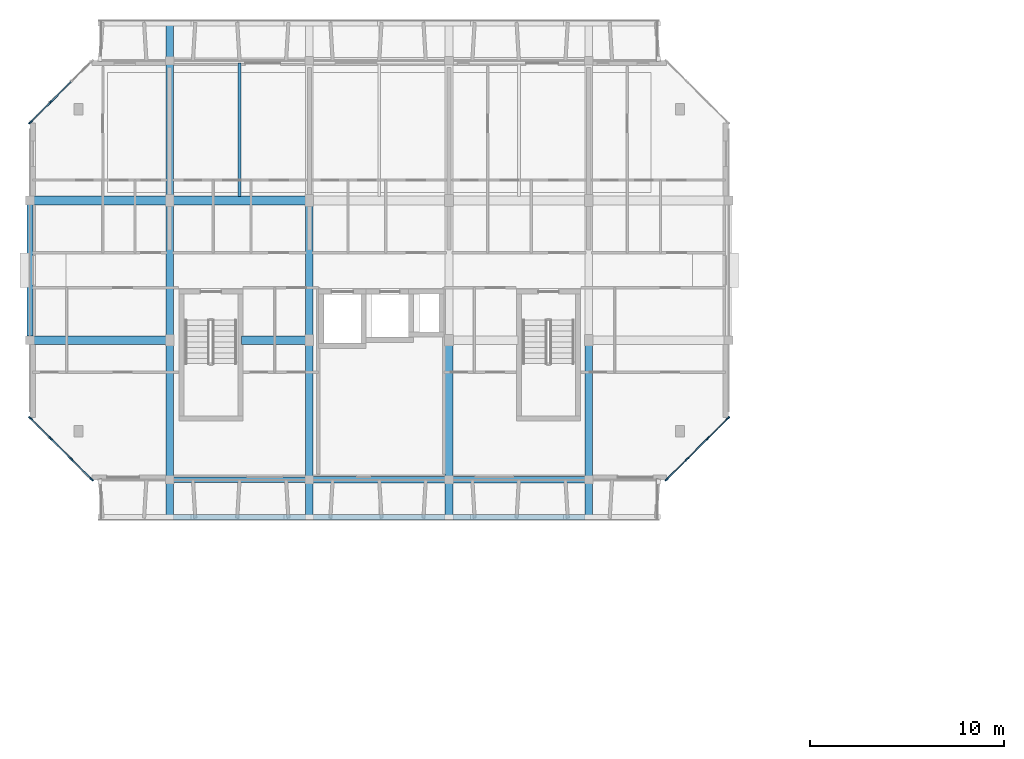
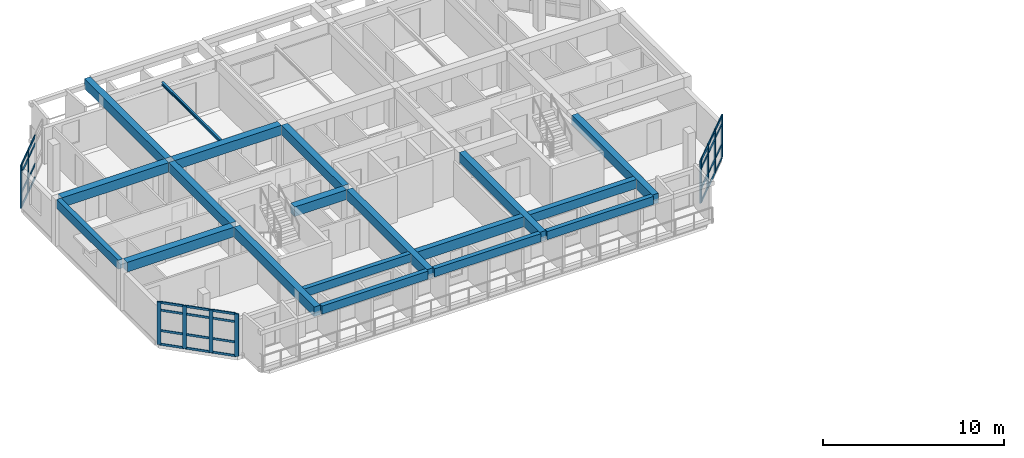
# One storey, part 8 of 43: 42 members, 19 beams, 3 elements without a shape of their own.
"""IFC4 building model written with IfcOpenShell, lengths in metres."""

from ifc_helpers import new_model, si_unit, direction, frame, origin, origin_2d, place, context, subcontext, project, spatial, rectangle, i_section, extrude, material, layer, layer_set, material_profile, profile_set, type_object, element, aggregate, save


model = new_model("IFC4")

# Units and contexts
model_context = context("Model", 3, precision=1e-05, world=origin(), true_north=direction((0.0, 1.0)))
body_context = subcontext(model_context, "Body", "Model", "MODEL_VIEW")
ifc_project = project(units=[si_unit("LENGTHUNIT", "METRE"), si_unit("AREAUNIT", "SQUARE_METRE"), si_unit("VOLUMEUNIT", "CUBIC_METRE"), si_unit("PLANEANGLEUNIT", "RADIAN"), si_unit("MASSUNIT", "GRAM", prefix="KILO")], contexts=[model_context])

# Site, building, storey
site_placement = place(None, origin())
site = spatial("IfcSite", under=ifc_project, at=site_placement, CompositionType="ELEMENT")
building_placement = place(site_placement, origin())
building = spatial("IfcBuilding", under=site, at=building_placement, Name="Ochrevale Crest", CompositionType="ELEMENT")
storey_placement = place(building_placement, frame((0.0, 0.0, 30.75)))
storey = spatial("IfcBuildingStorey", under=building, at=storey_placement, Name="L09", CompositionType="ELEMENT", Elevation=30.75)

# Beams
ifc_material_1 = material(Name="Precast concrete C50/60", Category="concrete")
ifc_material_profile_1 = material_profile(ifc_material_1, rectangle(XDim=0.39990234375, YDim=0.64990234375, at=origin_2d()), Name="PC 400x650")
ifc_profile_set_1 = profile_set([ifc_material_profile_1], Name="Precast concrete C50/60")
beam_type_1 = type_object("IfcBeamType", Name="BM-PC400x650", PredefinedType="BEAM", material=ifc_profile_set_1)
beam_1_placement = place(storey_placement, frame((7.199951171875, 70.080078125, 2.824951171875), z_axis=(0.0, 1.0, 0.0), x_axis=(-1.0, 0.0, 0.0)))
element("IfcBeam", 1, at=beam_1_placement, inside=storey, type_object=beam_type_1, Name="Block B L09 N-S beam X=7.2", PredefinedType="BEAM", context=body_context, shape_type="SweptSolid", body=[
    extrude(rectangle(XDim=0.39990234375, YDim=0.64990234375, at=origin_2d()), origin(), (0.0, 0.0, 1.0), 8.9150390625),
])
beam_2_placement = place(storey_placement, frame((7.199951171875, 79.405029296875, 2.824951171875), z_axis=(0.0, 1.0, 0.0), x_axis=(-1.0, 0.0, 0.0)))
element("IfcBeam", 2, at=beam_2_placement, inside=storey, type_object=beam_type_1, Name="Block B L09 N-S beam X=7.2", PredefinedType="BEAM", context=body_context, shape_type="SweptSolid", body=[
    extrude(rectangle(XDim=0.39990234375, YDim=0.64990234375, at=origin_2d()), origin(), (0.0, 0.0, 1.0), 6.7900390625),
])
for number, where, z_axis, x_axis, name in (
    (3, (7.199951171875, 86.60498046875, 2.824951171875), (0.0, 1.0, 0.0), (-1.0, 0.0, 0.0), "Block B L09 N-S beam X=7.2"),
    (4, (14.39990234375, 70.080078125, 2.824951171875), (0.0, 1.0, 0.0), (-1.0, 0.0, 0.0), "Block B L09 N-S beam X=14.4"),
):
    element("IfcBeam", number, at=place(storey_placement, frame(where, z_axis=z_axis, x_axis=x_axis)), inside=storey, type_object=beam_type_1, Name=name, PredefinedType="BEAM", context=body_context, shape_type="SweptSolid", body=[
        extrude(rectangle(XDim=0.39990234375, YDim=0.64990234375, at=origin_2d()), origin(), (0.0, 0.0, 1.0), 8.9150390625),
    ])
beam_3_placement = place(storey_placement, frame((14.39990234375, 79.405029296875, 2.824951171875), z_axis=(0.0, 1.0, 0.0), x_axis=(-1.0, 0.0, 0.0)))
element("IfcBeam", 5, at=beam_3_placement, inside=storey, type_object=beam_type_1, Name="Block B L09 N-S beam X=14.4", PredefinedType="BEAM", context=body_context, shape_type="SweptSolid", body=[
    extrude(rectangle(XDim=0.39990234375, YDim=0.64990234375, at=origin_2d()), origin(), (0.0, 0.0, 1.0), 6.7900390625),
])
for number, where, z_axis, x_axis, name in (
    (6, (21.60009765625, 70.080078125, 2.824951171875), (0.0, 1.0, 0.0), (-1.0, 0.0, 0.0), "Block B L09 N-S beam X=21.6"),
    (7, (28.800048828125, 70.080078125, 2.824951171875), (0.0, 1.0, 0.0), (-1.0, 0.0, 0.0), "Block B L09 N-S beam X=28.8"),
):
    element("IfcBeam", number, at=place(storey_placement, frame(where, z_axis=z_axis, x_axis=x_axis)), inside=storey, type_object=beam_type_1, Name=name, PredefinedType="BEAM", context=body_context, shape_type="SweptSolid", body=[
        extrude(rectangle(XDim=0.39990234375, YDim=0.64990234375, at=origin_2d()), origin(), (0.0, 0.0, 1.0), 8.9150390625),
    ])
ifc_material_2 = material(Name="Concrete C50/60", Category="concrete")
ifc_material_profile_2 = material_profile(ifc_material_2, rectangle(XDim=0.449951171875, YDim=0.64990234375, at=origin_2d()), Name="RC 450x650")
ifc_profile_set_2 = profile_set([ifc_material_profile_2], Name="Concrete C50/60")
beam_type_2 = type_object("IfcBeamType", Name="BM-PG450x650", PredefinedType="USERDEFINED", material=ifc_profile_set_2)
beam_4_placement = place(storey_placement, frame((0.199951171875, 79.199951171875, 2.824951171875), z_axis=(1.0, 0.0, 0.0), x_axis=(0.0, 1.0, 0.0)))
element("IfcBeam", 8, at=beam_4_placement, inside=storey, type_object=beam_type_2, Name="Block B L09 E-W beam Y=79.2", ObjectType="GIRDER", PredefinedType="USERDEFINED", context=body_context, shape_type="SweptSolid", body=[
    extrude(rectangle(XDim=0.449951171875, YDim=0.64990234375, at=origin_2d()), origin(), (0.0, 0.0, 1.0), 6.800048828125),
])
beam_5_placement = place(storey_placement, frame((10.889892578125, 79.199951171875, 2.824951171875), z_axis=(1.0, 0.0, 0.0), x_axis=(0.0, 1.0, 0.0)))
element("IfcBeam", 9, at=beam_5_placement, inside=storey, type_object=beam_type_2, Name="Block B L09 E-W beam Y=79.2", ObjectType="GIRDER", PredefinedType="USERDEFINED", context=body_context, shape_type="SweptSolid", body=[
    extrude(rectangle(XDim=0.449951171875, YDim=0.64990234375, at=origin_2d()), origin(), (0.0, 0.0, 1.0), 3.31005859375),
])
for number, where, z_axis, x_axis, name in (
    (10, (0.199951171875, 86.39990234375, 2.824951171875), (1.0, 0.0, 0.0), (0.0, 1.0, 0.0), "Block B L09 E-W beam Y=86.4"),
    (11, (7.39990234375, 86.39990234375, 2.824951171875), (1.0, 0.0, 0.0), (0.0, 1.0, 0.0), "Block B L09 E-W beam Y=86.4"),
):
    element("IfcBeam", number, at=place(storey_placement, frame(where, z_axis=z_axis, x_axis=x_axis)), inside=storey, type_object=beam_type_2, Name=name, ObjectType="GIRDER", PredefinedType="USERDEFINED", context=body_context, shape_type="SweptSolid", body=[
        extrude(rectangle(XDim=0.449951171875, YDim=0.64990234375, at=origin_2d()), origin(), (0.0, 0.0, 1.0), 6.800048828125),
    ])
ifc_material_3 = material(Name="Precast concrete C40/50", Category="concrete")
ifc_material_profile_3 = material_profile(ifc_material_3, rectangle(XDim=0.280029296875, YDim=0.550048828125, at=origin_2d()), Name="PC 280x550")
ifc_profile_set_3 = profile_set([ifc_material_profile_3], Name="Precast concrete C40/50")
beam_type_3 = type_object("IfcBeamType", Name="BM-SP280x550", PredefinedType="SPANDREL", material=ifc_profile_set_3)
beam_6_placement = place(storey_placement, frame((7.39990234375, 72.0, 2.875), z_axis=(1.0, 0.0, 0.0), x_axis=(0.0, 1.0, 0.0)))
element("IfcBeam", 12, at=beam_6_placement, inside=storey, type_object=beam_type_3, Name="Block B L09 E-W beam Y=72.0", PredefinedType="SPANDREL", context=body_context, shape_type="SweptSolid", body=[
    extrude(rectangle(XDim=0.280029296875, YDim=0.550048828125, at=origin_2d()), origin(), (0.0, 0.0, 1.0), 6.800048828125),
])
for number, where, z_axis, x_axis, name in (
    (13, (7.405029296875, 70.080078125, 2.875), (1.0, 0.0, 0.0), (0.0, 1.0, 0.0), "Block B L09 top-loggia precast ring lintel S-1"),
    (14, (14.60498046875, 70.080078125, 2.875), (1.0, 0.0, 0.0), (0.0, 1.0, 0.0), "Block B L09 top-loggia precast ring lintel S-2"),
    (15, (21.804931640625, 70.080078125, 2.875), (1.0, 0.0, 0.0), (0.0, 1.0, 0.0), "Block B L09 top-loggia precast ring lintel S-3"),
):
    element("IfcBeam", number, at=place(storey_placement, frame(where, z_axis=z_axis, x_axis=x_axis)), inside=storey, type_object=beam_type_3, Name=name, PredefinedType="SPANDREL", context=body_context, shape_type="SweptSolid", body=[
        extrude(rectangle(XDim=0.280029296875, YDim=0.550048828125, at=origin_2d()), origin(), (0.0, 0.0, 1.0), 6.7900390625),
    ])
ifc_material_profile_4 = material_profile(ifc_material_3, rectangle(XDim=0.300048828125, YDim=0.60009765625, at=origin_2d()), Name="PC 300x600")
ifc_profile_set_4 = profile_set([ifc_material_profile_4], Name="Precast concrete C40/50")
beam_type_4 = type_object("IfcBeamType", Name="BM-SP300x600", PredefinedType="SPANDREL", material=ifc_profile_set_4)
beam_7_placement = place(storey_placement, frame((0.0, 79.405029296875, 2.85009765625), z_axis=(0.0, 1.0, 0.0), x_axis=(-1.0, 0.0, 0.0)))
element("IfcBeam", 16, at=beam_7_placement, inside=storey, type_object=beam_type_4, Name="Block B L09 N-S beam X=0.0", PredefinedType="SPANDREL", context=body_context, shape_type="SweptSolid", body=[
    extrude(rectangle(XDim=0.300048828125, YDim=0.60009765625, at=origin_2d()), origin(), (0.0, 0.0, 1.0), 6.7900390625),
])
ifc_material_profile_5 = material_profile(ifc_material_3, rectangle(XDim=0.35009765625, YDim=0.60009765625, at=origin_2d()), Name="PC 350x600")
ifc_profile_set_5 = profile_set([ifc_material_profile_5], Name="Precast concrete C40/50")
beam_type_5 = type_object("IfcBeamType", Name="BM-SP350x600", PredefinedType="SPANDREL", material=ifc_profile_set_5)
beam_8_placement = place(storey_placement, frame((21.800048828125, 72.0, 2.85009765625), z_axis=(1.0, 0.0, 0.0), x_axis=(0.0, 1.0, 0.0)))
element("IfcBeam", 17, at=beam_8_placement, inside=storey, type_object=beam_type_5, Name="Block B L09 E-W beam Y=72.0", PredefinedType="SPANDREL", context=body_context, shape_type="SweptSolid", body=[
    extrude(rectangle(XDim=0.35009765625, YDim=0.60009765625, at=origin_2d()), origin(), (0.0, 0.0, 1.0), 6.800048828125),
])
ifc_material_profile_6 = material_profile(ifc_material_3, rectangle(XDim=0.35009765625, YDim=0.679931640625, at=origin_2d()), Name="PC 350x680")
ifc_profile_set_6 = profile_set([ifc_material_profile_6], Name="Precast concrete C40/50")
beam_type_6 = type_object("IfcBeamType", Name="BM-SP350x680", PredefinedType="SPANDREL", material=ifc_profile_set_6)
beam_9_placement = place(storey_placement, frame((14.60009765625, 72.0, 2.81005859375), z_axis=(1.0, 0.0, 0.0), x_axis=(0.0, 1.0, 0.0)))
element("IfcBeam", 18, at=beam_9_placement, inside=storey, type_object=beam_type_6, Name="Block B L09 E-W beam Y=72.0", PredefinedType="SPANDREL", context=body_context, shape_type="SweptSolid", body=[
    extrude(rectangle(XDim=0.35009765625, YDim=0.679931640625, at=origin_2d()), origin(), (0.0, 0.0, 1.0), 6.7998046875),
])
ifc_material_4 = material(Name="Steel S355", Category="steel")
ifc_material_profile_7 = material_profile(ifc_material_4, i_section(OverallWidth=0.13330078125, OverallDepth=0.203125, WebThickness=0.005859375, FlangeThickness=0.0078125, FilletRadius=0.0087890625, at=origin_2d()), Name="200UB25.4")
ifc_profile_set_7 = profile_set([ifc_material_profile_7], Name="Steel S355")
beam_type_7 = type_object("IfcBeamType", Name="BM-UB200A", PredefinedType="JOIST", material=ifc_profile_set_7)
beam_10_placement = place(storey_placement, frame((10.800048828125, 86.613037109375, 2.7734375), z_axis=(0.0, 1.0, 0.0), x_axis=(-1.0, 0.0, 0.0)))
element("IfcBeam", 19, at=beam_10_placement, inside=storey, type_object=beam_type_7, Name="Block B L09 composite plank trimmer beam 2", PredefinedType="JOIST", context=body_context, shape_type="SweptSolid", body=[
    extrude(i_section(OverallWidth=0.13330078125, OverallDepth=0.203125, WebThickness=0.005859375, FlangeThickness=0.0078125, FilletRadius=0.0087890625, at=origin_2d()), origin(), (0.0, 0.0, 1.0), 6.85888671875),
])

# Curtain wall, members
ifc_material_5 = material(Name="Anodised aluminium 6063-T5", Category="aluminium")
ifc_layer_1 = layer(ifc_material_5, 0.14990234375)
ifc_layer_set_1 = layer_set([ifc_layer_1], Name="Anodised aluminium 6063-T5")
curtain_wall_type_1 = type_object("IfcCurtainWallType", Name="CW-WG-280x285", PredefinedType="NOTDEFINED", material=ifc_layer_set_1)
curtain_wall_1_placement = place(storey_placement, origin())
curtain_wall_1 = element("IfcCurtainWall", 20, at=curtain_wall_1_placement, inside=storey, type_object=curtain_wall_type_1, Name="Block B L09 chamfered corner wintergarden curtain wall 2", PredefinedType="NOTDEFINED")
ifc_material_profile_8 = material_profile(ifc_material_5, rectangle(XDim=0.074951171875, YDim=0.219970703125, at=origin_2d()), Name="ALU 75x220")
ifc_profile_set_8 = profile_set([ifc_material_profile_8], Name="Anodised aluminium 6063-T5")
member_type_1 = type_object("IfcMemberType", Name="CW-MUL-75x220", PredefinedType="MULLION", material=ifc_profile_set_8)
member_1_placement = place(storey_placement, frame((32.826416015625, 72.026611328125, 0.0), z_axis=(0.0, 0.0, 1.0), x_axis=(-0.707106781187, 0.707106781187, 0.0)))
member_1 = element("IfcMember", 21, at=member_1_placement, type_object=member_type_1, Name="CW16 mullion 1", PredefinedType="MULLION", context=body_context, shape_type="SweptSolid", body=[
    extrude(rectangle(XDim=0.074951171875, YDim=0.219970703125, at=origin_2d()), origin(), (0.0, 0.0, 1.0), 2.875),
])
member_2_placement = place(storey_placement, frame((33.86669921875, 73.066650390625, 0.0), z_axis=(0.0, 0.0, 1.0), x_axis=(-0.707106781187, 0.707106781187, 0.0)))
member_2 = element("IfcMember", 22, at=member_2_placement, type_object=member_type_1, Name="CW16 mullion 2", PredefinedType="MULLION", context=body_context, shape_type="SweptSolid", body=[
    extrude(rectangle(XDim=0.074951171875, YDim=0.219970703125, at=origin_2d()), origin(), (0.0, 0.0, 1.0), 2.875),
])
member_3_placement = place(storey_placement, frame((34.933349609375, 74.13330078125, 0.0), z_axis=(0.0, 0.0, 1.0), x_axis=(-0.707106781187, 0.707106781187, 0.0)))
member_3 = element("IfcMember", 23, at=member_3_placement, type_object=member_type_1, Name="CW16 mullion 3", PredefinedType="MULLION", context=body_context, shape_type="SweptSolid", body=[
    extrude(rectangle(XDim=0.074951171875, YDim=0.219970703125, at=origin_2d()), origin(), (0.0, 0.0, 1.0), 2.875),
])
member_4_placement = place(storey_placement, frame((35.973388671875, 75.173583984375, 0.0), z_axis=(0.0, 0.0, 1.0), x_axis=(-0.707106781187, 0.707106781187, 0.0)))
member_4 = element("IfcMember", 24, at=member_4_placement, type_object=member_type_1, Name="CW16 mullion 4", PredefinedType="MULLION", context=body_context, shape_type="SweptSolid", body=[
    extrude(rectangle(XDim=0.074951171875, YDim=0.219970703125, at=origin_2d()), origin(), (0.0, 0.0, 1.0), 2.875),
])

ifc_layer_2 = layer(ifc_material_5, 0.14990234375)
ifc_layer_set_2 = layer_set([ifc_layer_2], Name="Anodised aluminium 6063-T5")
curtain_wall_type_2 = type_object("IfcCurtainWallType", Name="CW-WG-240x285", PredefinedType="NOTDEFINED", material=ifc_layer_set_2)
curtain_wall_2_placement = place(storey_placement, origin())
curtain_wall_2 = element("IfcCurtainWall", 25, at=curtain_wall_2_placement, inside=storey, type_object=curtain_wall_type_2, Name="Block B L09 chamfered corner wintergarden curtain wall 6", PredefinedType="NOTDEFINED")
member_5_placement = place(storey_placement, frame((1.066650390625, 91.466552734375, 0.0), z_axis=(0.0, 0.0, 1.0), x_axis=(0.707106781187, -0.707106781187, 0.0)))
member_5 = element("IfcMember", 26, at=member_5_placement, type_object=member_type_1, Name="CW15 mullion 3", PredefinedType="MULLION", context=body_context, shape_type="SweptSolid", body=[
    extrude(rectangle(XDim=0.074951171875, YDim=0.219970703125, at=origin_2d()), origin(), (0.0, 0.0, 1.0), 2.875),
])
member_6_placement = place(storey_placement, frame((0.026611328125, 90.426513671875, 0.0), z_axis=(0.0, 0.0, 1.0), x_axis=(0.707106781187, -0.707106781187, 0.0)))
member_6 = element("IfcMember", 27, at=member_6_placement, type_object=member_type_1, Name="CW15 mullion 4", PredefinedType="MULLION", context=body_context, shape_type="SweptSolid", body=[
    extrude(rectangle(XDim=0.074951171875, YDim=0.219970703125, at=origin_2d()), origin(), (0.0, 0.0, 1.0), 2.875),
])

ifc_layer_3 = layer(ifc_material_5, 0.14990234375)
ifc_layer_set_3 = layer_set([ifc_layer_3], Name="Anodised aluminium 6063-T5")
curtain_wall_type_3 = type_object("IfcCurtainWallType", Name="CW-WG-320x285", PredefinedType="NOTDEFINED", material=ifc_layer_set_3)
curtain_wall_3_placement = place(storey_placement, origin())
curtain_wall_3 = element("IfcCurtainWall", 28, at=curtain_wall_3_placement, inside=storey, type_object=curtain_wall_type_3, Name="Block B L09 chamfered corner wintergarden curtain wall 8", PredefinedType="NOTDEFINED")
member_7_placement = place(storey_placement, frame((0.026611328125, 75.173583984375, 0.0), z_axis=(0.0, 0.0, 1.0), x_axis=(0.707106781187, 0.707106781187, 0.0)))
member_7 = element("IfcMember", 29, at=member_7_placement, type_object=member_type_1, Name="CW17 mullion 1", PredefinedType="MULLION", context=body_context, shape_type="SweptSolid", body=[
    extrude(rectangle(XDim=0.074951171875, YDim=0.219970703125, at=origin_2d()), origin(), (0.0, 0.0, 1.0), 2.875),
])
member_8_placement = place(storey_placement, frame((1.066650390625, 74.13330078125, 0.0), z_axis=(0.0, 0.0, 1.0), x_axis=(0.707106781187, 0.707106781187, 0.0)))
member_8 = element("IfcMember", 30, at=member_8_placement, type_object=member_type_1, Name="CW17 mullion 2", PredefinedType="MULLION", context=body_context, shape_type="SweptSolid", body=[
    extrude(rectangle(XDim=0.074951171875, YDim=0.219970703125, at=origin_2d()), origin(), (0.0, 0.0, 1.0), 2.875),
])
member_9_placement = place(storey_placement, frame((2.13330078125, 73.066650390625, 0.0), z_axis=(0.0, 0.0, 1.0), x_axis=(0.707106781187, 0.707106781187, 0.0)))
member_9 = element("IfcMember", 31, at=member_9_placement, type_object=member_type_1, Name="CW17 mullion 3", PredefinedType="MULLION", context=body_context, shape_type="SweptSolid", body=[
    extrude(rectangle(XDim=0.074951171875, YDim=0.219970703125, at=origin_2d()), origin(), (0.0, 0.0, 1.0), 2.875),
])
member_10_placement = place(storey_placement, frame((3.173583984375, 72.026611328125, 0.0), z_axis=(0.0, 0.0, 1.0), x_axis=(0.707106781187, 0.707106781187, 0.0)))
member_10 = element("IfcMember", 32, at=member_10_placement, type_object=member_type_1, Name="CW17 mullion 4", PredefinedType="MULLION", context=body_context, shape_type="SweptSolid", body=[
    extrude(rectangle(XDim=0.074951171875, YDim=0.219970703125, at=origin_2d()), origin(), (0.0, 0.0, 1.0), 2.875),
])

# Member
ifc_material_profile_9 = material_profile(ifc_material_5, rectangle(XDim=0.06005859375, YDim=0.14990234375, at=origin_2d()), Name="ALU 60x150")
ifc_profile_set_9 = profile_set([ifc_material_profile_9], Name="Anodised aluminium 6063-T5")
member_type_2 = type_object("IfcMemberType", Name="CW-TRN-60x150", PredefinedType="USERDEFINED", material=ifc_profile_set_9)
member_11_placement = place(storey_placement, frame((32.85302734375, 72.052978515625, 0.030029296875), z_axis=(0.707106781187, 0.707106781187, 0.0), x_axis=(-0.707106781187, 0.707106781187, 0.0)))
member_11 = element("IfcMember", 33, at=member_11_placement, type_object=member_type_2, Name="CW16 transom 1.1", ObjectType="TRANSOM", PredefinedType="USERDEFINED", context=body_context, shape_type="SweptSolid", body=[
    extrude(rectangle(XDim=0.06005859375, YDim=0.14990234375, at=origin_2d()), origin(), (0.0, 0.0, 1.0), 1.39599609375),
])

member_12_placement = place(storey_placement, frame((32.85302734375, 72.052978515625, 0.949951171875), z_axis=(0.707106781187, 0.707106781187, 0.0), x_axis=(-0.707106781187, 0.707106781187, 0.0)))
member_12 = element("IfcMember", 34, at=member_12_placement, type_object=member_type_2, Name="CW16 transom 1.2", ObjectType="TRANSOM", PredefinedType="USERDEFINED", context=body_context, shape_type="SweptSolid", body=[
    extrude(rectangle(XDim=0.06005859375, YDim=0.14990234375, at=origin_2d()), origin(), (0.0, 0.0, 1.0), 1.39599609375),
])

member_13_placement = place(storey_placement, frame((32.85302734375, 72.052978515625, 2.324951171875), z_axis=(0.707106781187, 0.707106781187, 0.0), x_axis=(-0.707106781187, 0.707106781187, 0.0)))
member_13 = element("IfcMember", 35, at=member_13_placement, type_object=member_type_2, Name="CW16 transom 1.3", ObjectType="TRANSOM", PredefinedType="USERDEFINED", context=body_context, shape_type="SweptSolid", body=[
    extrude(rectangle(XDim=0.06005859375, YDim=0.14990234375, at=origin_2d()), origin(), (0.0, 0.0, 1.0), 1.39599609375),
])

member_14_placement = place(storey_placement, frame((32.85302734375, 72.052978515625, 2.844970703125), z_axis=(0.707106781187, 0.707106781187, 0.0), x_axis=(-0.707106781187, 0.707106781187, 0.0)))
member_14 = element("IfcMember", 36, at=member_14_placement, type_object=member_type_2, Name="CW16 transom 1.4", ObjectType="TRANSOM", PredefinedType="USERDEFINED", context=body_context, shape_type="SweptSolid", body=[
    extrude(rectangle(XDim=0.06005859375, YDim=0.14990234375, at=origin_2d()), origin(), (0.0, 0.0, 1.0), 1.39599609375),
])

member_15_placement = place(storey_placement, frame((33.89306640625, 73.09326171875, 0.030029296875), z_axis=(0.707106781187, 0.707106781187, 0.0), x_axis=(-0.707106781187, 0.707106781187, 0.0)))
member_15 = element("IfcMember", 37, at=member_15_placement, type_object=member_type_2, Name="CW16 transom 2.1", ObjectType="TRANSOM", PredefinedType="USERDEFINED", context=body_context, shape_type="SweptSolid", body=[
    extrude(rectangle(XDim=0.06005859375, YDim=0.14990234375, at=origin_2d()), origin(), (0.0, 0.0, 1.0), 1.43359375),
])

member_16_placement = place(storey_placement, frame((33.89306640625, 73.09326171875, 0.949951171875), z_axis=(0.707106781187, 0.707106781187, 0.0), x_axis=(-0.707106781187, 0.707106781187, 0.0)))
member_16 = element("IfcMember", 38, at=member_16_placement, type_object=member_type_2, Name="CW16 transom 2.2", ObjectType="TRANSOM", PredefinedType="USERDEFINED", context=body_context, shape_type="SweptSolid", body=[
    extrude(rectangle(XDim=0.06005859375, YDim=0.14990234375, at=origin_2d()), origin(), (0.0, 0.0, 1.0), 1.43359375),
])

member_17_placement = place(storey_placement, frame((33.89306640625, 73.09326171875, 2.324951171875), z_axis=(0.707106781187, 0.707106781187, 0.0), x_axis=(-0.707106781187, 0.707106781187, 0.0)))
member_17 = element("IfcMember", 39, at=member_17_placement, type_object=member_type_2, Name="CW16 transom 2.3", ObjectType="TRANSOM", PredefinedType="USERDEFINED", context=body_context, shape_type="SweptSolid", body=[
    extrude(rectangle(XDim=0.06005859375, YDim=0.14990234375, at=origin_2d()), origin(), (0.0, 0.0, 1.0), 1.43359375),
])

member_18_placement = place(storey_placement, frame((33.89306640625, 73.09326171875, 2.844970703125), z_axis=(0.707106781187, 0.707106781187, 0.0), x_axis=(-0.707106781187, 0.707106781187, 0.0)))
member_18 = element("IfcMember", 40, at=member_18_placement, type_object=member_type_2, Name="CW16 transom 2.4", ObjectType="TRANSOM", PredefinedType="USERDEFINED", context=body_context, shape_type="SweptSolid", body=[
    extrude(rectangle(XDim=0.06005859375, YDim=0.14990234375, at=origin_2d()), origin(), (0.0, 0.0, 1.0), 1.43359375),
])

member_19_placement = place(storey_placement, frame((34.9599609375, 74.159912109375, 0.030029296875), z_axis=(0.707106781187, 0.707106781187, 0.0), x_axis=(-0.707106781187, 0.707106781187, 0.0)))
member_19 = element("IfcMember", 41, at=member_19_placement, type_object=member_type_2, Name="CW16 transom 3.1", ObjectType="TRANSOM", PredefinedType="USERDEFINED", context=body_context, shape_type="SweptSolid", body=[
    extrude(rectangle(XDim=0.06005859375, YDim=0.14990234375, at=origin_2d()), origin(), (0.0, 0.0, 1.0), 1.39599609375),
])

member_20_placement = place(storey_placement, frame((34.9599609375, 74.159912109375, 0.949951171875), z_axis=(0.707106781187, 0.707106781187, 0.0), x_axis=(-0.707106781187, 0.707106781187, 0.0)))
member_20 = element("IfcMember", 42, at=member_20_placement, type_object=member_type_2, Name="CW16 transom 3.2", ObjectType="TRANSOM", PredefinedType="USERDEFINED", context=body_context, shape_type="SweptSolid", body=[
    extrude(rectangle(XDim=0.06005859375, YDim=0.14990234375, at=origin_2d()), origin(), (0.0, 0.0, 1.0), 1.39599609375),
])

member_21_placement = place(storey_placement, frame((34.9599609375, 74.159912109375, 2.324951171875), z_axis=(0.707106781187, 0.707106781187, 0.0), x_axis=(-0.707106781187, 0.707106781187, 0.0)))
member_21 = element("IfcMember", 43, at=member_21_placement, type_object=member_type_2, Name="CW16 transom 3.3", ObjectType="TRANSOM", PredefinedType="USERDEFINED", context=body_context, shape_type="SweptSolid", body=[
    extrude(rectangle(XDim=0.06005859375, YDim=0.14990234375, at=origin_2d()), origin(), (0.0, 0.0, 1.0), 1.39599609375),
])

member_22_placement = place(storey_placement, frame((34.9599609375, 74.159912109375, 2.844970703125), z_axis=(0.707106781187, 0.707106781187, 0.0), x_axis=(-0.707106781187, 0.707106781187, 0.0)))
member_22 = element("IfcMember", 44, at=member_22_placement, type_object=member_type_2, Name="CW16 transom 3.4", ObjectType="TRANSOM", PredefinedType="USERDEFINED", context=body_context, shape_type="SweptSolid", body=[
    extrude(rectangle(XDim=0.06005859375, YDim=0.14990234375, at=origin_2d()), origin(), (0.0, 0.0, 1.0), 1.39599609375),
])

aggregate(curtain_wall_1, [member_1, member_2, member_3, member_4, member_11, member_12, member_13, member_14, member_15, member_16, member_17, member_18, member_19, member_20, member_21, member_22])

member_23_placement = place(storey_placement, frame((2.10693359375, 92.5068359375, 0.030029296875), z_axis=(-0.707106781187, -0.707106781187, 0.0), x_axis=(0.707106781187, -0.707106781187, 0.0)))
member_23 = element("IfcMember", 45, at=member_23_placement, type_object=member_type_2, Name="CW15 transom 2.1", ObjectType="TRANSOM", PredefinedType="USERDEFINED", context=body_context, shape_type="SweptSolid", body=[
    extrude(rectangle(XDim=0.06005859375, YDim=0.14990234375, at=origin_2d()), origin(), (0.0, 0.0, 1.0), 1.43359375),
])

member_24_placement = place(storey_placement, frame((2.10693359375, 92.5068359375, 0.949951171875), z_axis=(-0.707106781187, -0.707106781187, 0.0), x_axis=(0.707106781187, -0.707106781187, 0.0)))
member_24 = element("IfcMember", 46, at=member_24_placement, type_object=member_type_2, Name="CW15 transom 2.2", ObjectType="TRANSOM", PredefinedType="USERDEFINED", context=body_context, shape_type="SweptSolid", body=[
    extrude(rectangle(XDim=0.06005859375, YDim=0.14990234375, at=origin_2d()), origin(), (0.0, 0.0, 1.0), 1.43359375),
])

member_25_placement = place(storey_placement, frame((2.10693359375, 92.5068359375, 2.324951171875), z_axis=(-0.707106781187, -0.707106781187, 0.0), x_axis=(0.707106781187, -0.707106781187, 0.0)))
member_25 = element("IfcMember", 47, at=member_25_placement, type_object=member_type_2, Name="CW15 transom 2.3", ObjectType="TRANSOM", PredefinedType="USERDEFINED", context=body_context, shape_type="SweptSolid", body=[
    extrude(rectangle(XDim=0.06005859375, YDim=0.14990234375, at=origin_2d()), origin(), (0.0, 0.0, 1.0), 1.43359375),
])

member_26_placement = place(storey_placement, frame((2.10693359375, 92.5068359375, 2.844970703125), z_axis=(-0.707106781187, -0.707106781187, 0.0), x_axis=(0.707106781187, -0.707106781187, 0.0)))
member_26 = element("IfcMember", 48, at=member_26_placement, type_object=member_type_2, Name="CW15 transom 2.4", ObjectType="TRANSOM", PredefinedType="USERDEFINED", context=body_context, shape_type="SweptSolid", body=[
    extrude(rectangle(XDim=0.06005859375, YDim=0.14990234375, at=origin_2d()), origin(), (0.0, 0.0, 1.0), 1.43359375),
])

member_27_placement = place(storey_placement, frame((1.0400390625, 91.440185546875, 0.030029296875), z_axis=(-0.707106781187, -0.707106781187, 0.0), x_axis=(0.707106781187, -0.707106781187, 0.0)))
member_27 = element("IfcMember", 49, at=member_27_placement, type_object=member_type_2, Name="CW15 transom 3.1", ObjectType="TRANSOM", PredefinedType="USERDEFINED", context=body_context, shape_type="SweptSolid", body=[
    extrude(rectangle(XDim=0.06005859375, YDim=0.14990234375, at=origin_2d()), origin(), (0.0, 0.0, 1.0), 1.39599609375),
])

member_28_placement = place(storey_placement, frame((1.0400390625, 91.440185546875, 0.949951171875), z_axis=(-0.707106781187, -0.707106781187, 0.0), x_axis=(0.707106781187, -0.707106781187, 0.0)))
member_28 = element("IfcMember", 50, at=member_28_placement, type_object=member_type_2, Name="CW15 transom 3.2", ObjectType="TRANSOM", PredefinedType="USERDEFINED", context=body_context, shape_type="SweptSolid", body=[
    extrude(rectangle(XDim=0.06005859375, YDim=0.14990234375, at=origin_2d()), origin(), (0.0, 0.0, 1.0), 1.39599609375),
])

member_29_placement = place(storey_placement, frame((1.0400390625, 91.440185546875, 2.324951171875), z_axis=(-0.707106781187, -0.707106781187, 0.0), x_axis=(0.707106781187, -0.707106781187, 0.0)))
member_29 = element("IfcMember", 51, at=member_29_placement, type_object=member_type_2, Name="CW15 transom 3.3", ObjectType="TRANSOM", PredefinedType="USERDEFINED", context=body_context, shape_type="SweptSolid", body=[
    extrude(rectangle(XDim=0.06005859375, YDim=0.14990234375, at=origin_2d()), origin(), (0.0, 0.0, 1.0), 1.39599609375),
])

member_30_placement = place(storey_placement, frame((1.0400390625, 91.440185546875, 2.844970703125), z_axis=(-0.707106781187, -0.707106781187, 0.0), x_axis=(0.707106781187, -0.707106781187, 0.0)))
member_30 = element("IfcMember", 52, at=member_30_placement, type_object=member_type_2, Name="CW15 transom 3.4", ObjectType="TRANSOM", PredefinedType="USERDEFINED", context=body_context, shape_type="SweptSolid", body=[
    extrude(rectangle(XDim=0.06005859375, YDim=0.14990234375, at=origin_2d()), origin(), (0.0, 0.0, 1.0), 1.39599609375),
])

aggregate(curtain_wall_2, [member_5, member_6, member_23, member_24, member_25, member_26, member_27, member_28, member_29, member_30])

member_31_placement = place(storey_placement, frame((0.052978515625, 75.14697265625, 0.030029296875), z_axis=(0.707106781187, -0.707106781187, 0.0), x_axis=(0.707106781187, 0.707106781187, 0.0)))
member_31 = element("IfcMember", 53, at=member_31_placement, type_object=member_type_2, Name="CW17 transom 1.1", ObjectType="TRANSOM", PredefinedType="USERDEFINED", context=body_context, shape_type="SweptSolid", body=[
    extrude(rectangle(XDim=0.06005859375, YDim=0.14990234375, at=origin_2d()), origin(), (0.0, 0.0, 1.0), 1.39599609375),
])

member_32_placement = place(storey_placement, frame((0.052978515625, 75.14697265625, 0.949951171875), z_axis=(0.707106781187, -0.707106781187, 0.0), x_axis=(0.707106781187, 0.707106781187, 0.0)))
member_32 = element("IfcMember", 54, at=member_32_placement, type_object=member_type_2, Name="CW17 transom 1.2", ObjectType="TRANSOM", PredefinedType="USERDEFINED", context=body_context, shape_type="SweptSolid", body=[
    extrude(rectangle(XDim=0.06005859375, YDim=0.14990234375, at=origin_2d()), origin(), (0.0, 0.0, 1.0), 1.39599609375),
])

member_33_placement = place(storey_placement, frame((0.052978515625, 75.14697265625, 2.324951171875), z_axis=(0.707106781187, -0.707106781187, 0.0), x_axis=(0.707106781187, 0.707106781187, 0.0)))
member_33 = element("IfcMember", 55, at=member_33_placement, type_object=member_type_2, Name="CW17 transom 1.3", ObjectType="TRANSOM", PredefinedType="USERDEFINED", context=body_context, shape_type="SweptSolid", body=[
    extrude(rectangle(XDim=0.06005859375, YDim=0.14990234375, at=origin_2d()), origin(), (0.0, 0.0, 1.0), 1.39599609375),
])

member_34_placement = place(storey_placement, frame((0.052978515625, 75.14697265625, 2.844970703125), z_axis=(0.707106781187, -0.707106781187, 0.0), x_axis=(0.707106781187, 0.707106781187, 0.0)))
member_34 = element("IfcMember", 56, at=member_34_placement, type_object=member_type_2, Name="CW17 transom 1.4", ObjectType="TRANSOM", PredefinedType="USERDEFINED", context=body_context, shape_type="SweptSolid", body=[
    extrude(rectangle(XDim=0.06005859375, YDim=0.14990234375, at=origin_2d()), origin(), (0.0, 0.0, 1.0), 1.39599609375),
])

member_35_placement = place(storey_placement, frame((1.09326171875, 74.10693359375, 0.030029296875), z_axis=(0.707106781187, -0.707106781187, 0.0), x_axis=(0.707106781187, 0.707106781187, 0.0)))
member_35 = element("IfcMember", 57, at=member_35_placement, type_object=member_type_2, Name="CW17 transom 2.1", ObjectType="TRANSOM", PredefinedType="USERDEFINED", context=body_context, shape_type="SweptSolid", body=[
    extrude(rectangle(XDim=0.06005859375, YDim=0.14990234375, at=origin_2d()), origin(), (0.0, 0.0, 1.0), 1.43359375),
])

member_36_placement = place(storey_placement, frame((1.09326171875, 74.10693359375, 0.949951171875), z_axis=(0.707106781187, -0.707106781187, 0.0), x_axis=(0.707106781187, 0.707106781187, 0.0)))
member_36 = element("IfcMember", 58, at=member_36_placement, type_object=member_type_2, Name="CW17 transom 2.2", ObjectType="TRANSOM", PredefinedType="USERDEFINED", context=body_context, shape_type="SweptSolid", body=[
    extrude(rectangle(XDim=0.06005859375, YDim=0.14990234375, at=origin_2d()), origin(), (0.0, 0.0, 1.0), 1.43359375),
])

member_37_placement = place(storey_placement, frame((1.09326171875, 74.10693359375, 2.324951171875), z_axis=(0.707106781187, -0.707106781187, 0.0), x_axis=(0.707106781187, 0.707106781187, 0.0)))
member_37 = element("IfcMember", 59, at=member_37_placement, type_object=member_type_2, Name="CW17 transom 2.3", ObjectType="TRANSOM", PredefinedType="USERDEFINED", context=body_context, shape_type="SweptSolid", body=[
    extrude(rectangle(XDim=0.06005859375, YDim=0.14990234375, at=origin_2d()), origin(), (0.0, 0.0, 1.0), 1.43359375),
])

member_38_placement = place(storey_placement, frame((1.09326171875, 74.10693359375, 2.844970703125), z_axis=(0.707106781187, -0.707106781187, 0.0), x_axis=(0.707106781187, 0.707106781187, 0.0)))
member_38 = element("IfcMember", 60, at=member_38_placement, type_object=member_type_2, Name="CW17 transom 2.4", ObjectType="TRANSOM", PredefinedType="USERDEFINED", context=body_context, shape_type="SweptSolid", body=[
    extrude(rectangle(XDim=0.06005859375, YDim=0.14990234375, at=origin_2d()), origin(), (0.0, 0.0, 1.0), 1.43359375),
])

member_39_placement = place(storey_placement, frame((2.159912109375, 73.0400390625, 0.030029296875), z_axis=(0.707106781187, -0.707106781187, 0.0), x_axis=(0.707106781187, 0.707106781187, 0.0)))
member_39 = element("IfcMember", 61, at=member_39_placement, type_object=member_type_2, Name="CW17 transom 3.1", ObjectType="TRANSOM", PredefinedType="USERDEFINED", context=body_context, shape_type="SweptSolid", body=[
    extrude(rectangle(XDim=0.06005859375, YDim=0.14990234375, at=origin_2d()), origin(), (0.0, 0.0, 1.0), 1.39599609375),
])

member_40_placement = place(storey_placement, frame((2.159912109375, 73.0400390625, 0.949951171875), z_axis=(0.707106781187, -0.707106781187, 0.0), x_axis=(0.707106781187, 0.707106781187, 0.0)))
member_40 = element("IfcMember", 62, at=member_40_placement, type_object=member_type_2, Name="CW17 transom 3.2", ObjectType="TRANSOM", PredefinedType="USERDEFINED", context=body_context, shape_type="SweptSolid", body=[
    extrude(rectangle(XDim=0.06005859375, YDim=0.14990234375, at=origin_2d()), origin(), (0.0, 0.0, 1.0), 1.39599609375),
])

member_41_placement = place(storey_placement, frame((2.159912109375, 73.0400390625, 2.324951171875), z_axis=(0.707106781187, -0.707106781187, 0.0), x_axis=(0.707106781187, 0.707106781187, 0.0)))
member_41 = element("IfcMember", 63, at=member_41_placement, type_object=member_type_2, Name="CW17 transom 3.3", ObjectType="TRANSOM", PredefinedType="USERDEFINED", context=body_context, shape_type="SweptSolid", body=[
    extrude(rectangle(XDim=0.06005859375, YDim=0.14990234375, at=origin_2d()), origin(), (0.0, 0.0, 1.0), 1.39599609375),
])

member_42_placement = place(storey_placement, frame((2.159912109375, 73.0400390625, 2.844970703125), z_axis=(0.707106781187, -0.707106781187, 0.0), x_axis=(0.707106781187, 0.707106781187, 0.0)))
member_42 = element("IfcMember", 64, at=member_42_placement, type_object=member_type_2, Name="CW17 transom 3.4", ObjectType="TRANSOM", PredefinedType="USERDEFINED", context=body_context, shape_type="SweptSolid", body=[
    extrude(rectangle(XDim=0.06005859375, YDim=0.14990234375, at=origin_2d()), origin(), (0.0, 0.0, 1.0), 1.39599609375),
])

aggregate(curtain_wall_3, [member_7, member_8, member_9, member_10, member_31, member_32, member_33, member_34, member_35, member_36, member_37, member_38, member_39, member_40, member_41, member_42])

save(model, "model.ifc")
